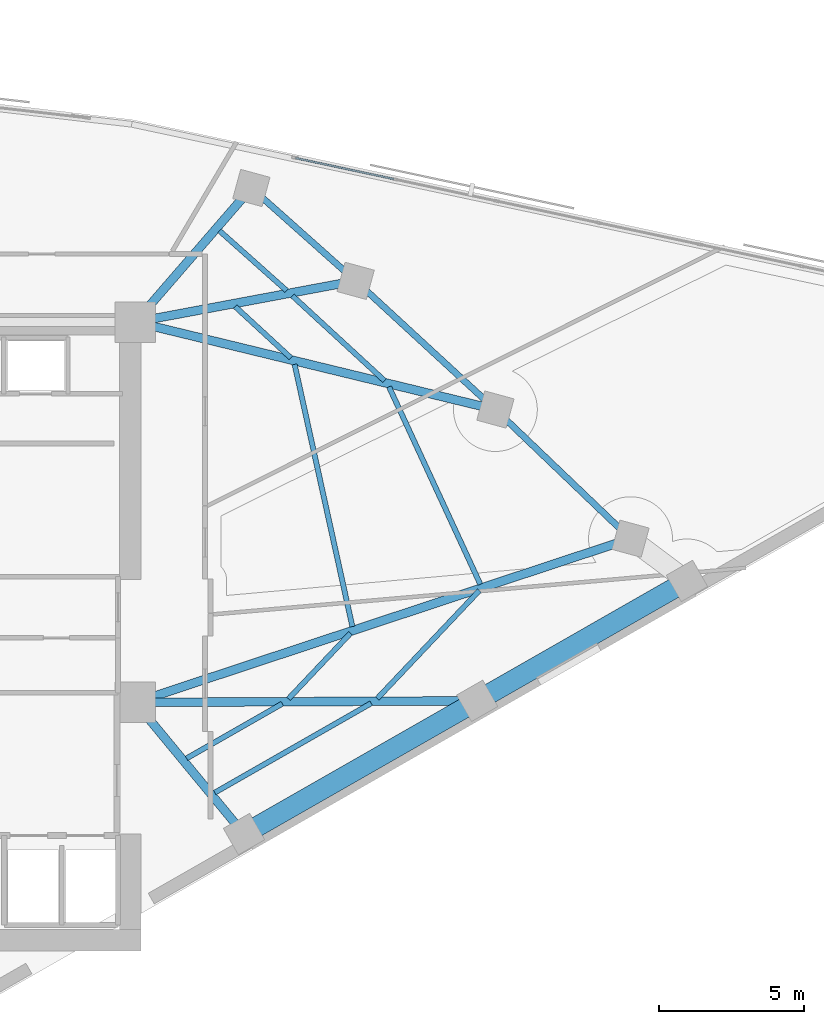
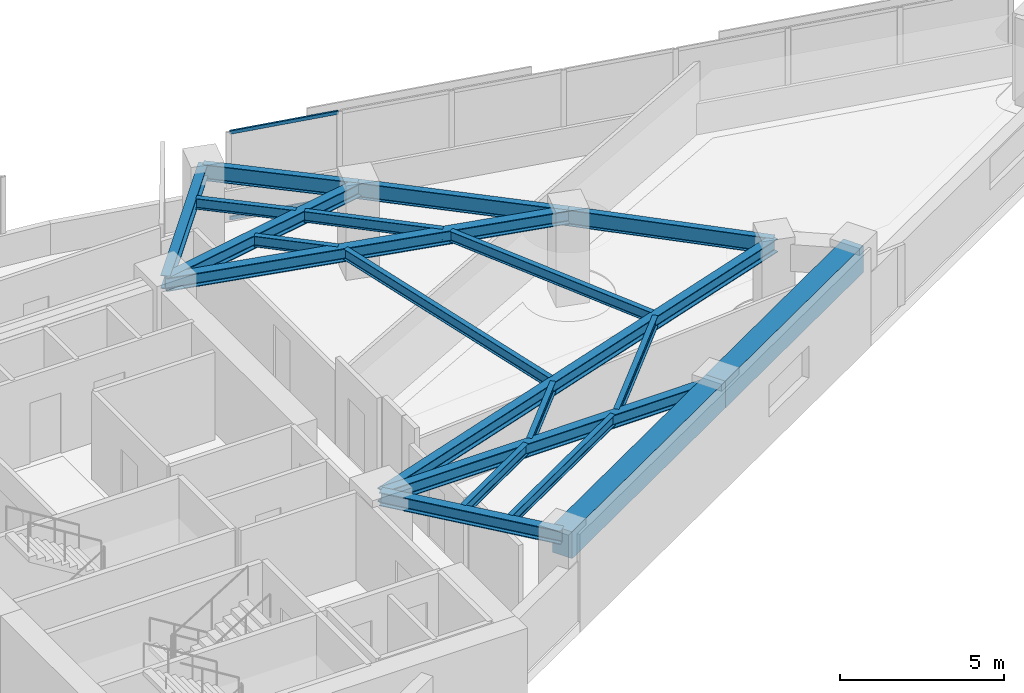
# One storey, part 3 of 13: 20 beams, 2 members, 1 element without a shape of its own.
"""IFC4 building model written with IfcOpenShell, lengths in metres."""

import ifcopenshell
import ifcopenshell.guid

model = None  # the IFC model being written
_history = None  # IfcOwnerHistory: only IFC2X3 demands one
_inside = {}  # id of a spatial element -> (the spatial element, [elements in it])
_under = {}  # id of a project, library or spatial element -> (it, [spatial elements below it])
_declared = {}  # id of a project -> (the project, [libraries it declares])
_typed = {}  # id of a type object -> (the type object, [elements of that type])
_made_of = {}  # id of a material, layer set ... -> (it, [elements and type objects made of it])


def new_model(schema):
    """Start an empty IFC model of exactly this schema.

    Asked for "IFC4X3", IfcOpenShell would pick the latest addendum, in which some entities
    have other attributes; the version numbers below select the first issue.
    IFC2X3 requires an IfcOwnerHistory on every rooted entity: one is made here for all.
    """
    global model, _history
    if schema == "IFC4X3":
        model = ifcopenshell.file(schema_version=(4, 3, 0, 0))
    else:
        model = ifcopenshell.file(schema=schema)
    _inside.clear()
    _under.clear()
    _declared.clear()
    _typed.clear()
    _made_of.clear()
    _history = None
    if model.schema == "IFC2X3":
        org = make("IfcOrganization", Name="unknown")
        user = make(
            "IfcPersonAndOrganization",
            ThePerson=make("IfcPerson", FamilyName="unknown"),
            TheOrganization=org,
        )
        app = make(
            "IfcApplication",
            ApplicationDeveloper=org,
            Version="unknown",
            ApplicationFullName="unknown",
            ApplicationIdentifier="unknown",
        )
        _history = make(
            "IfcOwnerHistory",
            OwningUser=user,
            OwningApplication=app,
            ChangeAction="ADDED",
            CreationDate=0,
        )
    return model


def make(cls, **values):
    """One entity of the class cls with the attributes given. An attribute that is None is left unset."""
    return model.create_entity(
        cls, **{name: value for name, value in values.items() if value is not None}
    )


def rooted(cls, **values):
    """An entity with a GlobalId (a new one), such as an element, a storey or a relation."""
    return make(cls, GlobalId=ifcopenshell.guid.new(), OwnerHistory=_history, **values)


def si_unit(unit_type, name, prefix=None):
    """IfcSIUnit, for example si_unit("LENGTHUNIT", "METRE", prefix="MILLI")."""
    return make("IfcSIUnit", UnitType=unit_type, Prefix=prefix, Name=name)


def assignment(units):
    """IfcUnitAssignment: the units of a project."""
    return None if units is None else make("IfcUnitAssignment", Units=units)


def point(xyz):
    """IfcCartesianPoint."""
    return None if xyz is None else make("IfcCartesianPoint", Coordinates=xyz)


def direction(xyz):
    """IfcDirection."""
    return None if xyz is None else make("IfcDirection", DirectionRatios=xyz)


def frame(location, z_axis=None, x_axis=None):
    """IfcAxis2Placement3D, a coordinate frame: its origin and axes. An axis left out is left unset."""
    return make(
        "IfcAxis2Placement3D",
        Location=point(location),
        Axis=direction(z_axis),
        RefDirection=direction(x_axis),
    )


def frame_2d(location, x_axis=None):
    """IfcAxis2Placement2D, a coordinate frame in the plane: its origin and x axis."""
    return make(
        "IfcAxis2Placement2D", Location=point(location), RefDirection=direction(x_axis)
    )


def origin():
    """The frame at (0, 0, 0) with its axes left unset."""
    return frame((0.0, 0.0, 0.0))


def origin_2d():
    """The frame at (0, 0) in the plane with its x axis left unset."""
    return frame_2d((0.0, 0.0))


def place(relative_to, where):
    """IfcLocalPlacement: puts the frame where relative to a parent placement (None: the world)."""
    return make(
        "IfcLocalPlacement", PlacementRelTo=relative_to, RelativePlacement=where
    )


def context(
    kind, dimensions, precision=None, world=None, true_north=None, identifier=None
):
    """IfcGeometricRepresentationContext, for example the 3D "Model" context."""
    return make(
        "IfcGeometricRepresentationContext",
        ContextIdentifier=identifier,
        ContextType=kind,
        CoordinateSpaceDimension=dimensions,
        Precision=precision,
        WorldCoordinateSystem=world,
        TrueNorth=true_north,
    )


def subcontext(parent, identifier, kind, view, scale=None):
    """IfcGeometricRepresentationSubContext, for example "Body" below "Model"."""
    return make(
        "IfcGeometricRepresentationSubContext",
        ContextIdentifier=identifier,
        ContextType=kind,
        ParentContext=parent,
        TargetScale=scale,
        TargetView=view,
    )


def project(units=None, contexts=None):
    """IfcProject with its units and contexts."""
    return rooted(
        "IfcProject",
        Name="project",
        RepresentationContexts=contexts,
        UnitsInContext=assignment(units),
    )


def spatial(cls, under=None, at=None, **own):
    """A site, building, storey or space (cls), placed at a placement, below another one or the project."""
    s = rooted(cls, ObjectPlacement=at, **own)
    if under is not None:
        _under.setdefault(under.id(), (under, []))[1].append(s)
    return s


def profile(cls, at=None, kind="AREA", **sizes):
    """A parametric profile (cls). Its sizes go by their IFC names, for example OverallWidth=200.0."""
    return make(cls, ProfileType=kind, Position=at, **sizes)


def rectangle(**sizes):
    """IfcRectangleProfileDef."""
    return profile("IfcRectangleProfileDef", **sizes)


def hollow_rectangle(**sizes):
    """IfcRectangleHollowProfileDef."""
    return profile("IfcRectangleHollowProfileDef", **sizes)


def i_section(**sizes):
    """IfcIShapeProfileDef."""
    return profile("IfcIShapeProfileDef", **sizes)


def extrude(swept, where, along, depth):
    """IfcExtrudedAreaSolid: the profile swept, set in the frame where, extruded along a direction by depth."""
    return make(
        "IfcExtrudedAreaSolid",
        SweptArea=swept,
        Position=where,
        ExtrudedDirection=direction(along),
        Depth=depth,
    )


def shape(context_of_items, identifier, shape_type, items):
    """IfcShapeRepresentation: the items that make up one representation, for example the "Body"."""
    return make(
        "IfcShapeRepresentation",
        ContextOfItems=context_of_items,
        RepresentationIdentifier=identifier,
        RepresentationType=shape_type,
        Items=items,
    )


def material(Name=None, Category=None):
    """IfcMaterial."""
    return make("IfcMaterial", Name=Name, Category=Category)


def material_profile(
    of_material, cross_section, Name=None, Category=None, Priority=None
):
    """IfcMaterialProfile: a cross section and its material."""
    return make(
        "IfcMaterialProfile",
        Name=Name,
        Material=of_material,
        Profile=cross_section,
        Priority=Priority,
        Category=Category,
    )


def profile_set(profiles, Name=None, composite=None):
    """IfcMaterialProfileSet."""
    return make(
        "IfcMaterialProfileSet",
        Name=Name,
        MaterialProfiles=profiles,
        CompositeProfile=composite,
    )


def made_of(thing, what):
    """Note that an element or type object is made of a material, layer set ...; save() writes the relation."""
    if what is not None:
        _made_of.setdefault(what.id(), (what, []))[1].append(thing)
    return thing


def type_object(cls, material=None, **own):
    """A type object (cls), such as IfcWallType, which elements share."""
    return made_of(rooted(cls, **own), material)


def element(
    cls,
    number,
    at=None,
    inside=None,
    cuts=None,
    type_object=None,
    material=None,
    context=None,
    identifier="Body",
    shape_type=None,
    held_by="IfcProductDefinitionShape",
    body=None,
    shapes=None,
    **own,
):
    """One element of the class cls, such as IfcWall. Its Tag is "e" and its number.

    at: its placement. inside: the storey or other place that contains it. cuts: it is an
    opening in that element (IfcRelVoidsElement). A single representation is given by context,
    identifier, shape_type and body (its items); several are given by shapes. held_by: the class
    of the entity that holds the representations. save() writes the other relations.
    """
    e = rooted(cls, Tag="e%d" % number, ObjectPlacement=at, **own)
    if body is not None:
        shapes = [shape(context, identifier, shape_type, body)]
    if shapes is not None:
        e.Representation = make(held_by, Representations=shapes)
    if inside is not None:
        _inside.setdefault(inside.id(), (inside, []))[1].append(e)
    if cuts is not None:
        rooted(
            "IfcRelVoidsElement", RelatingBuildingElement=cuts, RelatedOpeningElement=e
        )
    if type_object is not None:
        _typed.setdefault(type_object.id(), (type_object, []))[1].append(e)
    return made_of(e, material)


def aggregate(whole, parts):
    """IfcRelAggregates: a whole, such as a stair, and the parts it consists of."""
    return rooted("IfcRelAggregates", RelatingObject=whole, RelatedObjects=parts)


def save(model, path):
    """Write the relations noted so far, then the file.

    IfcRelAggregates (storeys below a building ...), IfcRelContainedInSpatialStructure (elements
    in a storey), IfcRelDefinesByType, IfcRelAssociatesMaterial and IfcRelDeclares: one each for
    every whole, place, type object, material and project.
    """
    for whole, parts in _under.values():
        aggregate(whole, parts)
    for where, things in _inside.values():
        rooted(
            "IfcRelContainedInSpatialStructure",
            RelatedElements=things,
            RelatingStructure=where,
        )
    for kind, things in _typed.values():
        rooted("IfcRelDefinesByType", RelatedObjects=things, RelatingType=kind)
    for what, things in _made_of.values():
        rooted("IfcRelAssociatesMaterial", RelatedObjects=things, RelatingMaterial=what)
    for by, libraries in _declared.values():
        rooted("IfcRelDeclares", RelatingContext=by, RelatedDefinitions=libraries)
    model.write(path)


model = new_model("IFC4")

# Units and contexts
model_context = context("Model", 3, precision=1e-05, world=origin(), true_north=direction((0.0, 1.0)))
body_context = subcontext(model_context, "Body", "Model", "MODEL_VIEW")
ifc_project = project(units=[si_unit("LENGTHUNIT", "METRE"), si_unit("AREAUNIT", "SQUARE_METRE"), si_unit("VOLUMEUNIT", "CUBIC_METRE"), si_unit("PLANEANGLEUNIT", "RADIAN"), si_unit("MASSUNIT", "GRAM", prefix="KILO")], contexts=[model_context])

# Site, building, storey
site_placement = place(None, origin())
site = spatial("IfcSite", under=ifc_project, at=site_placement, CompositionType="ELEMENT")
building_placement = place(site_placement, origin())
building = spatial("IfcBuilding", under=site, at=building_placement, Name="Narakoshi Arena Tower", CompositionType="ELEMENT")
storey_placement = place(building_placement, frame((0.0, 0.0, 200.89990234375)))
storey = spatial("IfcBuildingStorey", under=building, at=storey_placement, Name="L54", CompositionType="ELEMENT", Elevation=200.89990234375)

# Beams
ifc_material_1 = material(Name="Concrete C60/75", Category="concrete")
ifc_material_profile_1 = material_profile(ifc_material_1, rectangle(XDim=0.699951171875, YDim=1.0, at=origin_2d()), Name="RCB700x1000")
ifc_profile_set_1 = profile_set([ifc_material_profile_1], Name="Concrete C60/75")
beam_type_1 = type_object("IfcBeamType", Name="BM-CPL-1000", PredefinedType="BEAM", material=ifc_profile_set_1)
beam_1_placement = place(storey_placement, frame((89.30810546875, 38.798583984375, 2.760009765625), z_axis=(0.868201055882, 0.496212582031, 0.0), x_axis=(-0.496212582031, 0.868201055882, 0.0)))
element("IfcBeam", 1, at=beam_1_placement, inside=storey, type_object=beam_type_1, Name="L54 Perimeter Edge Girder 01", PredefinedType="BEAM", context=body_context, shape_type="SweptSolid", body=[
    extrude(rectangle(XDim=0.699951171875, YDim=1.0, at=origin_2d()), origin(), (0.0, 0.0, 1.0), 9.2822265625),
])
beam_2_placement = place(storey_placement, frame((97.366943359375, 43.404541015625, 2.760009765625), z_axis=(0.868192782093, 0.49622705803, 0.0), x_axis=(-0.49622705803, 0.868192782093, 0.0)))
element("IfcBeam", 2, at=beam_2_placement, inside=storey, type_object=beam_type_1, Name="L54 Perimeter Edge Girder 02", PredefinedType="BEAM", context=body_context, shape_type="SweptSolid", body=[
    extrude(rectangle(XDim=0.699951171875, YDim=1.0, at=origin_2d()), origin(), (0.0, 0.0, 1.0), 8.35400390625),
])
ifc_material_2 = material(Name="Structural steel S355J2", Category="steel")
ifc_material_profile_2 = material_profile(ifc_material_2, i_section(OverallWidth=0.219970703125, OverallDepth=0.60009765625, WebThickness=0.011962890625, FlangeThickness=0.01904296875, FilletRadius=0.02392578125, at=origin_2d()), Name="IPE600")
ifc_profile_set_2 = profile_set([ifc_material_profile_2], Name="Structural steel S355J2")
beam_type_2 = type_object("IfcBeamType", Name="BM-EDGE-600", PredefinedType="BEAM", material=ifc_profile_set_2)
beam_3_placement = place(storey_placement, frame((102.668701171875, 49.009521484375, 2.960205078125), z_axis=(-0.722814960544, 0.691041628858, 0.0), x_axis=(-0.691041628858, -0.722814960544, 0.0)))
element("IfcBeam", 3, at=beam_3_placement, inside=storey, type_object=beam_type_2, Name="L54 Perimeter Edge Girder 04", PredefinedType="BEAM", context=body_context, shape_type="SweptSolid", body=[
    extrude(i_section(OverallWidth=0.219970703125, OverallDepth=0.60009765625, WebThickness=0.011962890625, FlangeThickness=0.01904296875, FilletRadius=0.02392578125, at=origin_2d()), origin(), (0.0, 0.0, 1.0), 6.462158203125),
])
beam_4_placement = place(storey_placement, frame((97.997802734375, 53.47509765625, 2.960205078125), z_axis=(-0.735632357906, 0.677381010954, 0.0), x_axis=(-0.677381010954, -0.735632357906, 0.0)))
element("IfcBeam", 4, at=beam_4_placement, inside=storey, type_object=beam_type_2, Name="L54 Perimeter Edge Girder 05", PredefinedType="BEAM", context=body_context, shape_type="SweptSolid", body=[
    extrude(i_section(OverallWidth=0.219970703125, OverallDepth=0.60009765625, WebThickness=0.011962890625, FlangeThickness=0.01904296875, FilletRadius=0.02392578125, at=origin_2d()), origin(), (0.0, 0.0, 1.0), 6.567626953125),
])
beam_5_placement = place(storey_placement, frame((93.16650390625, 57.923828125, 2.960205078125), z_axis=(-0.746739302131, 0.665116842857, 0.0), x_axis=(-0.665116842857, -0.746739302131, 0.0)))
element("IfcBeam", 5, at=beam_5_placement, inside=storey, type_object=beam_type_2, Name="L54 Perimeter Edge Girder 06", PredefinedType="BEAM", context=body_context, shape_type="SweptSolid", body=[
    extrude(i_section(OverallWidth=0.219970703125, OverallDepth=0.60009765625, WebThickness=0.011962890625, FlangeThickness=0.01904296875, FilletRadius=0.02392578125, at=origin_2d()), origin(), (0.0, 0.0, 1.0), 4.82763671875),
])
ifc_material_profile_3 = material_profile(ifc_material_2, i_section(OverallWidth=0.300048828125, OverallDepth=0.5, WebThickness=0.014404296875, FlangeThickness=0.028076171875, FilletRadius=0.027099609375, at=origin_2d()), Name="HE500B")
ifc_profile_set_3 = profile_set([ifc_material_profile_3], Name="Structural steel S355J2")
beam_type_3 = type_object("IfcBeamType", Name="BM-PRI-500", PredefinedType="BEAM", material=ifc_profile_set_3)
beam_6_placement = place(storey_placement, frame((85.550048828125, 43.35009765625, 3.010009765625), z_axis=(0.63669116064, -0.771118905204, 0.0), x_axis=(0.771118905204, 0.63669116064, 0.0)))
element("IfcBeam", 6, at=beam_6_placement, inside=storey, type_object=beam_type_3, Name="L54 Radial Primary Floor Girder 01", PredefinedType="BEAM", context=body_context, shape_type="SweptSolid", body=[
    extrude(i_section(OverallWidth=0.300048828125, OverallDepth=0.5, WebThickness=0.014404296875, FlangeThickness=0.028076171875, FilletRadius=0.027099609375, at=origin_2d()), origin(), (0.0, 0.0, 1.0), 5.902587890625),
])
beam_7_placement = place(storey_placement, frame((85.550048828125, 43.35009765625, 3.010009765625), z_axis=(0.999989386804, 0.004607198737, 0.0), x_axis=(-0.004607198737, 0.999989386804, 0.0)))
element("IfcBeam", 7, at=beam_7_placement, inside=storey, type_object=beam_type_3, Name="L54 Radial Primary Floor Girder 02", PredefinedType="BEAM", context=body_context, shape_type="SweptSolid", body=[
    extrude(i_section(OverallWidth=0.300048828125, OverallDepth=0.5, WebThickness=0.014404296875, FlangeThickness=0.028076171875, FilletRadius=0.027099609375, at=origin_2d()), origin(), (0.0, 0.0, 1.0), 11.817138671875),
])
beam_8_placement = place(storey_placement, frame((85.550048828125, 43.35009765625, 3.010009765625), z_axis=(0.949459022771, 0.313891006687, 0.0), x_axis=(-0.313891006687, 0.949459022771, 0.0)))
element("IfcBeam", 8, at=beam_8_placement, inside=storey, type_object=beam_type_3, Name="L54 Radial Primary Floor Girder 04", PredefinedType="BEAM", context=body_context, shape_type="SweptSolid", body=[
    extrude(i_section(OverallWidth=0.300048828125, OverallDepth=0.5, WebThickness=0.014404296875, FlangeThickness=0.028076171875, FilletRadius=0.027099609375, at=origin_2d()), origin(), (0.0, 0.0, 1.0), 18.02978515625),
])
beam_9_placement = place(storey_placement, frame((85.550048828125, 56.5, 3.010009765625), z_axis=(0.971720101952, -0.236135646318, 0.0), x_axis=(0.236135646318, 0.971720101952, 0.0)))
element("IfcBeam", 9, at=beam_9_placement, inside=storey, type_object=beam_type_3, Name="L54 Radial Primary Floor Girder 05", PredefinedType="BEAM", context=body_context, shape_type="SweptSolid", body=[
    extrude(i_section(OverallWidth=0.300048828125, OverallDepth=0.5, WebThickness=0.014404296875, FlangeThickness=0.028076171875, FilletRadius=0.027099609375, at=origin_2d()), origin(), (0.0, 0.0, 1.0), 12.81005859375),
])
beam_10_placement = place(storey_placement, frame((85.550048828125, 56.5, 3.010009765625), z_axis=(0.982971563011, 0.183757738099, 0.0), x_axis=(-0.183757738099, 0.982971563011, 0.0)))
element("IfcBeam", 10, at=beam_10_placement, inside=storey, type_object=beam_type_3, Name="L54 Radial Primary Floor Girder 06", PredefinedType="BEAM", context=body_context, shape_type="SweptSolid", body=[
    extrude(i_section(OverallWidth=0.300048828125, OverallDepth=0.5, WebThickness=0.014404296875, FlangeThickness=0.028076171875, FilletRadius=0.027099609375, at=origin_2d()), origin(), (0.0, 0.0, 1.0), 7.748291015625),
])
beam_11_placement = place(storey_placement, frame((85.550048828125, 56.5, 3.010009765625), z_axis=(0.654434553487, 0.756118651537, 0.0), x_axis=(-0.756118651537, 0.654434553487, 0.0)))
element("IfcBeam", 11, at=beam_11_placement, inside=storey, type_object=beam_type_3, Name="L54 Radial Primary Floor Girder 07", PredefinedType="BEAM", context=body_context, shape_type="SweptSolid", body=[
    extrude(i_section(OverallWidth=0.300048828125, OverallDepth=0.5, WebThickness=0.014404296875, FlangeThickness=0.028076171875, FilletRadius=0.027099609375, at=origin_2d()), origin(), (0.0, 0.0, 1.0), 6.129638671875),
])
ifc_material_profile_4 = material_profile(ifc_material_2, i_section(OverallWidth=0.179931640625, OverallDepth=0.39990234375, WebThickness=0.008544921875, FlangeThickness=0.013427734375, FilletRadius=0.02099609375, at=origin_2d()), Name="IPE400")
ifc_profile_set_4 = profile_set([ifc_material_profile_4], Name="Structural steel S355J2")
beam_type_4 = type_object("IfcBeamType", Name="BM-SEC-400", PredefinedType="JOIST", material=ifc_profile_set_4)
beam_12_placement = place(storey_placement, frame((87.32080078125, 41.414306640625, 3.06005859375), z_axis=(0.868195867723, 0.496221659411, 0.0), x_axis=(-0.496221659411, 0.868195867723, 0.0)))
element("IfcBeam", 12, at=beam_12_placement, inside=storey, type_object=beam_type_4, Name="L54 Composite Secondary Floor Joist 01", PredefinedType="JOIST", context=body_context, shape_type="SweptSolid", body=[
    extrude(i_section(OverallWidth=0.179931640625, OverallDepth=0.39990234375, WebThickness=0.008544921875, FlangeThickness=0.013427734375, FilletRadius=0.02099609375, at=origin_2d()), origin(), (0.0, 0.0, 1.0), 3.81396484375),
])
beam_13_placement = place(storey_placement, frame((88.2978515625, 40.23095703125, 3.06005859375), z_axis=(0.8681900623, 0.496231816517, 0.0), x_axis=(-0.496231816517, 0.8681900623, 0.0)))
element("IfcBeam", 13, at=beam_13_placement, inside=storey, type_object=beam_type_4, Name="L54 Composite Secondary Floor Joist 02", PredefinedType="JOIST", context=body_context, shape_type="SweptSolid", body=[
    extrude(i_section(OverallWidth=0.179931640625, OverallDepth=0.39990234375, WebThickness=0.008544921875, FlangeThickness=0.013427734375, FilletRadius=0.02099609375, at=origin_2d()), origin(), (0.0, 0.0, 1.0), 6.2275390625),
])
beam_14_placement = place(storey_placement, frame((90.84228515625, 43.47216796875, 3.06005859375), z_axis=(0.687183136643, 0.726484230189, 0.0), x_axis=(-0.726484230189, 0.687183136643, 0.0)))
element("IfcBeam", 14, at=beam_14_placement, inside=storey, type_object=beam_type_4, Name="L54 Composite Secondary Floor Joist 03", PredefinedType="JOIST", context=body_context, shape_type="SweptSolid", body=[
    extrude(i_section(OverallWidth=0.179931640625, OverallDepth=0.39990234375, WebThickness=0.008544921875, FlangeThickness=0.013427734375, FilletRadius=0.02099609375, at=origin_2d()), origin(), (0.0, 0.0, 1.0), 3.124755859375),
])
beam_15_placement = place(storey_placement, frame((93.91455078125, 43.486328125, 3.06005859375), z_axis=(0.687205962341, 0.726462638628, 0.0), x_axis=(-0.726462638628, 0.687205962341, 0.0)))
element("IfcBeam", 15, at=beam_15_placement, inside=storey, type_object=beam_type_4, Name="L54 Composite Secondary Floor Joist 04", PredefinedType="JOIST", context=body_context, shape_type="SweptSolid", body=[
    extrude(i_section(OverallWidth=0.179931640625, OverallDepth=0.39990234375, WebThickness=0.008544921875, FlangeThickness=0.013427734375, FilletRadius=0.02099609375, at=origin_2d()), origin(), (0.0, 0.0, 1.0), 5.130859375),
])
beam_16_placement = place(storey_placement, frame((93.05322265625, 45.971923828125, 3.06005859375), z_axis=(-0.215142244311, 0.976582722924, 0.0), x_axis=(-0.976582722924, -0.215142244311, 0.0)))
element("IfcBeam", 16, at=beam_16_placement, inside=storey, type_object=beam_type_4, Name="L54 Composite Secondary Floor Joist 05", PredefinedType="JOIST", context=body_context, shape_type="SweptSolid", body=[
    extrude(i_section(OverallWidth=0.179931640625, OverallDepth=0.39990234375, WebThickness=0.008544921875, FlangeThickness=0.013427734375, FilletRadius=0.02099609375, at=origin_2d()), origin(), (0.0, 0.0, 1.0), 9.282470703125),
])
beam_17_placement = place(storey_placement, frame((97.4765625, 47.43408203125, 3.06005859375), z_axis=(-0.419696271228, 0.907664607615, 0.0), x_axis=(-0.907664607615, -0.419696271228, 0.0)))
element("IfcBeam", 17, at=beam_17_placement, inside=storey, type_object=beam_type_4, Name="L54 Composite Secondary Floor Joist 06", PredefinedType="JOIST", context=body_context, shape_type="SweptSolid", body=[
    extrude(i_section(OverallWidth=0.179931640625, OverallDepth=0.39990234375, WebThickness=0.008544921875, FlangeThickness=0.013427734375, FilletRadius=0.02099609375, at=origin_2d()), origin(), (0.0, 0.0, 1.0), 7.520263671875),
])
beam_18_placement = place(storey_placement, frame((90.927734375, 55.260498046875, 3.06005859375), z_axis=(-0.735628197446, 0.677385529166, 0.0), x_axis=(-0.677385529166, -0.735628197446, 0.0)))
element("IfcBeam", 18, at=beam_18_placement, inside=storey, type_object=beam_type_4, Name="L54 Composite Secondary Floor Joist 07", PredefinedType="JOIST", context=body_context, shape_type="SweptSolid", body=[
    extrude(i_section(OverallWidth=0.179931640625, OverallDepth=0.39990234375, WebThickness=0.008544921875, FlangeThickness=0.013427734375, FilletRadius=0.02099609375, at=origin_2d()), origin(), (0.0, 0.0, 1.0), 2.619873046875),
])
beam_19_placement = place(storey_placement, frame((94.164306640625, 54.47412109375, 3.06005859375), z_axis=(-0.735672341295, 0.677337586624, 0.0), x_axis=(-0.677337586624, -0.735672341295, 0.0)))
element("IfcBeam", 19, at=beam_19_placement, inside=storey, type_object=beam_type_4, Name="L54 Composite Secondary Floor Joist 08", PredefinedType="JOIST", context=body_context, shape_type="SweptSolid", body=[
    extrude(i_section(OverallWidth=0.179931640625, OverallDepth=0.39990234375, WebThickness=0.008544921875, FlangeThickness=0.013427734375, FilletRadius=0.02099609375, at=origin_2d()), origin(), (0.0, 0.0, 1.0), 4.327392578125),
])
beam_20_placement = place(storey_placement, frame((90.78076171875, 57.58642578125, 3.06005859375), z_axis=(-0.746720111739, 0.665138387649, 0.0), x_axis=(-0.665138387649, -0.746720111739, 0.0)))
element("IfcBeam", 20, at=beam_20_placement, inside=storey, type_object=beam_type_4, Name="L54 Composite Secondary Floor Joist 09", PredefinedType="JOIST", context=body_context, shape_type="SweptSolid", body=[
    extrude(i_section(OverallWidth=0.179931640625, OverallDepth=0.39990234375, WebThickness=0.008544921875, FlangeThickness=0.013427734375, FilletRadius=0.02099609375, at=origin_2d()), origin(), (0.0, 0.0, 1.0), 3.109375),
])

# Curtain wall, members
ifc_material_3 = material(Name="Anodised bronze aluminium 6063-T6", Category="aluminium")
curtain_wall_type = type_object("IfcCurtainWallType", Name="CW-HYP-MID", PredefinedType="NOTDEFINED", material=ifc_material_3)
curtain_wall_placement = place(storey_placement, origin())
curtain_wall = element("IfcCurtainWall", 21, at=curtain_wall_placement, inside=storey, type_object=curtain_wall_type, Name="L54 Folded Hypotenuse Curtain Wall 1-1", PredefinedType="NOTDEFINED")
ifc_material_profile_5 = material_profile(ifc_material_3, hollow_rectangle(XDim=0.06494140625, YDim=0.1298828125, WallThickness=0.00390625, OuterFilletRadius=0.0048828125, at=origin_2d()), Name="TRN130x65x4")
ifc_profile_set_5 = profile_set([ifc_material_profile_5], Name="Anodised bronze aluminium 6063-T6")
member_type = type_object("IfcMemberType", Name="MEM-TRN-130", PredefinedType="USERDEFINED", material=ifc_profile_set_5)
member_1_placement = place(storey_placement, frame((94.4892578125, 61.442138671875, 0.03271484375), z_axis=(-0.977945872942, 0.208858491797, 0.0), x_axis=(-0.208858491797, -0.977945872942, 0.0)))
member_1 = element("IfcMember", 22, at=member_1_placement, type_object=member_type, Name="CW-02 transom 7.1", ObjectType="TRANSOM", PredefinedType="USERDEFINED", context=body_context, shape_type="SweptSolid", body=[
    extrude(hollow_rectangle(XDim=0.06494140625, YDim=0.1298828125, WallThickness=0.00390625, OuterFilletRadius=0.0048828125, at=origin_2d()), origin(), (0.0, 0.0, 1.0), 3.48095703125),
])
member_2_placement = place(storey_placement, frame((94.4892578125, 61.442138671875, 3.2275390625), z_axis=(-0.977945872942, 0.208858491797, 0.0), x_axis=(-0.208858491797, -0.977945872942, 0.0)))
member_2 = element("IfcMember", 23, at=member_2_placement, type_object=member_type, Name="CW-02 transom 7.2", ObjectType="TRANSOM", PredefinedType="USERDEFINED", context=body_context, shape_type="SweptSolid", body=[
    extrude(hollow_rectangle(XDim=0.06494140625, YDim=0.1298828125, WallThickness=0.00390625, OuterFilletRadius=0.0048828125, at=origin_2d()), origin(), (0.0, 0.0, 1.0), 3.48095703125),
])
aggregate(curtain_wall, [member_1, member_2])

save(model, "model.ifc")
